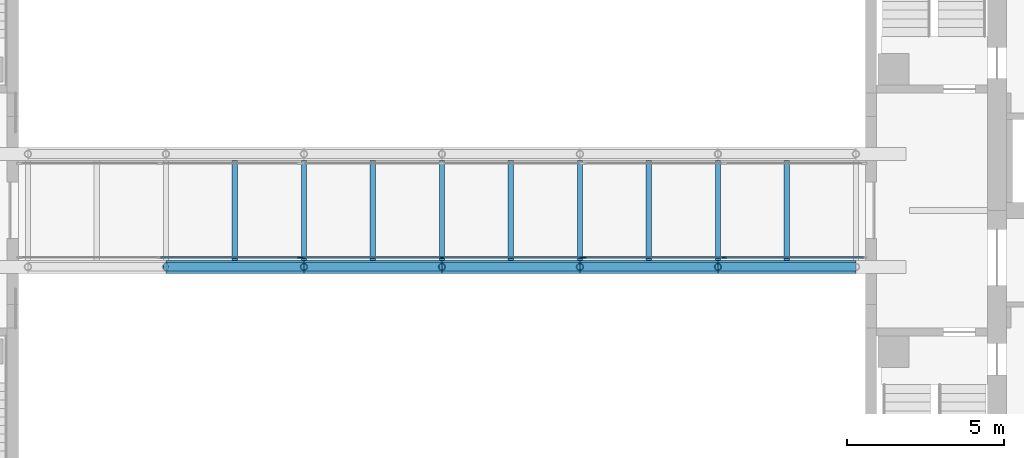
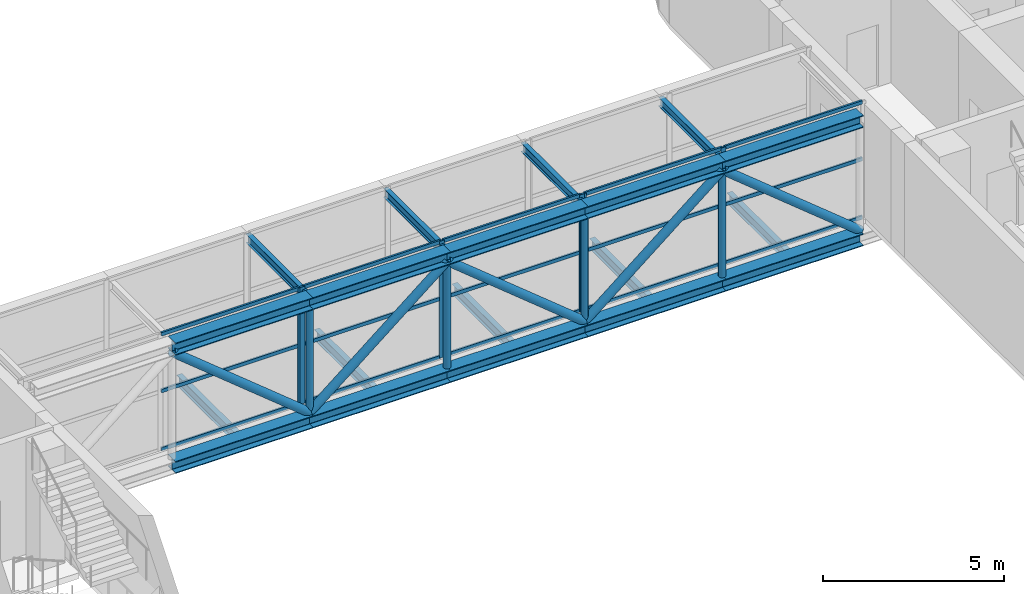
# One storey, part 5 of 24: 40 members, 9 beams, 3 elements without a shape of their own.
"""IFC4 building model written with IfcOpenShell, lengths in metres."""

from ifc_helpers import new_model, si_unit, direction, frame, origin, origin_2d, place, context, subcontext, project, spatial, rectangle, hollow_circle, i_section, extrude, material, material_profile, profile_set, type_object, element, aggregate, save


model = new_model("IFC4")

# Units and contexts
model_context = context("Model", 3, precision=1e-05, world=origin(), true_north=direction((0.0, 1.0)))
body_context = subcontext(model_context, "Body", "Model", "MODEL_VIEW")
ifc_project = project(units=[si_unit("LENGTHUNIT", "METRE"), si_unit("AREAUNIT", "SQUARE_METRE"), si_unit("VOLUMEUNIT", "CUBIC_METRE"), si_unit("PLANEANGLEUNIT", "RADIAN"), si_unit("MASSUNIT", "GRAM", prefix="KILO")], contexts=[model_context])

# Site, building, storey
site_placement = place(None, origin())
site = spatial("IfcSite", under=ifc_project, at=site_placement, CompositionType="ELEMENT")
building_placement = place(site_placement, origin())
building = spatial("IfcBuilding", under=site, at=building_placement, Name="Cinnabar Reach Civic Tower", CompositionType="ELEMENT")
storey_placement = place(building_placement, frame((0.0, 0.0, 71.0)))
storey = spatial("IfcBuildingStorey", under=building, at=storey_placement, Name="L16", CompositionType="ELEMENT", Elevation=71.0)

# Curtain wall, member
ifc_material_1 = material(Name="Aluminium and insulated spandrel panels", Category="aluminium")
curtain_wall_type = type_object("IfcCurtainWallType", Name="Bridge 1 enclosure curtain wall", PredefinedType="NOTDEFINED", material=ifc_material_1)
curtain_wall_1_placement = place(storey_placement, origin())
curtain_wall_1 = element("IfcCurtainWall", 1, at=curtain_wall_1_placement, inside=storey, type_object=curtain_wall_type, Name="Bridge 1 enclosure 1", PredefinedType="NOTDEFINED")
ifc_material_2 = material(Name="Aluminium", Category="aluminium")
ifc_material_profile_1 = material_profile(ifc_material_2, rectangle(XDim=0.06, YDim=0.16, at=origin_2d()), Name="Bridge 1 enclosure mullion")
ifc_profile_set_1 = profile_set([ifc_material_profile_1], Name="Aluminium")
member_type_1 = type_object("IfcMemberType", Name="Bridge 1 enclosure mullion", PredefinedType="MULLION", material=ifc_profile_set_1)
member_1_placement = place(storey_placement, frame((-18.03, 30.0, 0.0), z_axis=(0.0, 0.0, 1.0), x_axis=(0.0, 1.0, 0.0)))
member_1 = element("IfcMember", 2, at=member_1_placement, type_object=member_type_1, Name="CW-BR1-1 mullion 3", PredefinedType="MULLION", context=body_context, shape_type="SweptSolid", body=[
    extrude(rectangle(XDim=0.06, YDim=0.16, at=origin_2d()), origin(), (0.0, 0.0, 1.0), 3.95),
])

# Curtain wall, members
curtain_wall_2_placement = place(storey_placement, origin())
curtain_wall_2 = element("IfcCurtainWall", 3, at=curtain_wall_2_placement, inside=storey, type_object=curtain_wall_type, Name="Bridge 1 enclosure 2", PredefinedType="NOTDEFINED")
member_2_placement = place(storey_placement, frame((-17.97, 30.0, 0.0), z_axis=(0.0, 0.0, 1.0), x_axis=(0.0, 1.0, 0.0)))
member_2 = element("IfcMember", 4, at=member_2_placement, type_object=member_type_1, Name="CW-BR1-2 mullion 1", PredefinedType="MULLION", context=body_context, shape_type="SweptSolid", body=[
    extrude(rectangle(XDim=0.06, YDim=0.16, at=origin_2d()), origin(), (0.0, 0.0, 1.0), 3.95),
])
member_3_placement = place(storey_placement, frame((-13.5, 30.0, 0.0), z_axis=(0.0, 0.0, 1.0), x_axis=(0.0, 1.0, 0.0)))
member_3 = element("IfcMember", 5, at=member_3_placement, type_object=member_type_1, Name="CW-BR1-2 mullion 2", PredefinedType="MULLION", context=body_context, shape_type="SweptSolid", body=[
    extrude(rectangle(XDim=0.06, YDim=0.16, at=origin_2d()), origin(), (0.0, 0.0, 1.0), 3.95),
])
member_4_placement = place(storey_placement, frame((-9.03, 30.0, 0.0), z_axis=(0.0, 0.0, 1.0), x_axis=(0.0, 1.0, 0.0)))
member_4 = element("IfcMember", 6, at=member_4_placement, type_object=member_type_1, Name="CW-BR1-2 mullion 3", PredefinedType="MULLION", context=body_context, shape_type="SweptSolid", body=[
    extrude(rectangle(XDim=0.06, YDim=0.16, at=origin_2d()), origin(), (0.0, 0.0, 1.0), 3.95),
])

curtain_wall_3_placement = place(storey_placement, origin())
curtain_wall_3 = element("IfcCurtainWall", 7, at=curtain_wall_3_placement, inside=storey, type_object=curtain_wall_type, Name="Bridge 1 enclosure 3", PredefinedType="NOTDEFINED")
member_5_placement = place(storey_placement, frame((-8.97, 30.0, 0.0), z_axis=(0.0, 0.0, 1.0), x_axis=(0.0, 1.0, 0.0)))
member_5 = element("IfcMember", 8, at=member_5_placement, type_object=member_type_1, Name="CW-BR1-3 mullion 1", PredefinedType="MULLION", context=body_context, shape_type="SweptSolid", body=[
    extrude(rectangle(XDim=0.06, YDim=0.16, at=origin_2d()), origin(), (0.0, 0.0, 1.0), 3.95),
])
member_6_placement = place(storey_placement, frame((-4.5, 30.0, 0.0), z_axis=(0.0, 0.0, 1.0), x_axis=(0.0, 1.0, 0.0)))
member_6 = element("IfcMember", 9, at=member_6_placement, type_object=member_type_1, Name="CW-BR1-3 mullion 2", PredefinedType="MULLION", context=body_context, shape_type="SweptSolid", body=[
    extrude(rectangle(XDim=0.06, YDim=0.16, at=origin_2d()), origin(), (0.0, 0.0, 1.0), 3.95),
])

# Member
ifc_material_profile_2 = material_profile(ifc_material_2, rectangle(XDim=0.06, YDim=0.12, at=origin_2d()), Name="Bridge 1 enclosure transom")
ifc_profile_set_2 = profile_set([ifc_material_profile_2], Name="Aluminium")
member_type_2 = type_object("IfcMemberType", Name="Bridge 1 enclosure transom", PredefinedType="USERDEFINED", material=ifc_profile_set_2)
member_7_placement = place(storey_placement, frame((-22.47, 30.0, 0.03), z_axis=(1.0, 0.0, 0.0), x_axis=(0.0, 1.0, 0.0)))
member_7 = element("IfcMember", 10, at=member_7_placement, type_object=member_type_2, Name="CW-BR1-1 transom 2.1", ObjectType="TRANSOM", PredefinedType="USERDEFINED", context=body_context, shape_type="SweptSolid", body=[
    extrude(rectangle(XDim=0.06, YDim=0.12, at=origin_2d()), origin(), (0.0, 0.0, 1.0), 4.41),
])

member_8_placement = place(storey_placement, frame((-22.47, 30.0, 2.0), z_axis=(1.0, 0.0, 0.0), x_axis=(0.0, 1.0, 0.0)))
member_8 = element("IfcMember", 11, at=member_8_placement, type_object=member_type_2, Name="CW-BR1-1 transom 2.2", ObjectType="TRANSOM", PredefinedType="USERDEFINED", context=body_context, shape_type="SweptSolid", body=[
    extrude(rectangle(XDim=0.06, YDim=0.12, at=origin_2d()), origin(), (0.0, 0.0, 1.0), 4.41),
])

member_9_placement = place(storey_placement, frame((-22.47, 30.0, 3.92), z_axis=(1.0, 0.0, 0.0), x_axis=(0.0, 1.0, 0.0)))
member_9 = element("IfcMember", 12, at=member_9_placement, type_object=member_type_2, Name="CW-BR1-1 transom 2.3", ObjectType="TRANSOM", PredefinedType="USERDEFINED", context=body_context, shape_type="SweptSolid", body=[
    extrude(rectangle(XDim=0.06, YDim=0.12, at=origin_2d()), origin(), (0.0, 0.0, 1.0), 4.41),
])

aggregate(curtain_wall_1, [member_1, member_7, member_8, member_9])

member_10_placement = place(storey_placement, frame((-17.94, 30.0, 0.03), z_axis=(1.0, 0.0, 0.0), x_axis=(0.0, 1.0, 0.0)))
member_10 = element("IfcMember", 13, at=member_10_placement, type_object=member_type_2, Name="CW-BR1-2 transom 1.1", ObjectType="TRANSOM", PredefinedType="USERDEFINED", context=body_context, shape_type="SweptSolid", body=[
    extrude(rectangle(XDim=0.06, YDim=0.12, at=origin_2d()), origin(), (0.0, 0.0, 1.0), 4.41),
])

member_11_placement = place(storey_placement, frame((-17.94, 30.0, 2.0), z_axis=(1.0, 0.0, 0.0), x_axis=(0.0, 1.0, 0.0)))
member_11 = element("IfcMember", 14, at=member_11_placement, type_object=member_type_2, Name="CW-BR1-2 transom 1.2", ObjectType="TRANSOM", PredefinedType="USERDEFINED", context=body_context, shape_type="SweptSolid", body=[
    extrude(rectangle(XDim=0.06, YDim=0.12, at=origin_2d()), origin(), (0.0, 0.0, 1.0), 4.41),
])

member_12_placement = place(storey_placement, frame((-17.94, 30.0, 3.92), z_axis=(1.0, 0.0, 0.0), x_axis=(0.0, 1.0, 0.0)))
member_12 = element("IfcMember", 15, at=member_12_placement, type_object=member_type_2, Name="CW-BR1-2 transom 1.3", ObjectType="TRANSOM", PredefinedType="USERDEFINED", context=body_context, shape_type="SweptSolid", body=[
    extrude(rectangle(XDim=0.06, YDim=0.12, at=origin_2d()), origin(), (0.0, 0.0, 1.0), 4.41),
])

member_13_placement = place(storey_placement, frame((-13.47, 30.0, 0.03), z_axis=(1.0, 0.0, 0.0), x_axis=(0.0, 1.0, 0.0)))
member_13 = element("IfcMember", 16, at=member_13_placement, type_object=member_type_2, Name="CW-BR1-2 transom 2.1", ObjectType="TRANSOM", PredefinedType="USERDEFINED", context=body_context, shape_type="SweptSolid", body=[
    extrude(rectangle(XDim=0.06, YDim=0.12, at=origin_2d()), origin(), (0.0, 0.0, 1.0), 4.41),
])

member_14_placement = place(storey_placement, frame((-13.47, 30.0, 2.0), z_axis=(1.0, 0.0, 0.0), x_axis=(0.0, 1.0, 0.0)))
member_14 = element("IfcMember", 17, at=member_14_placement, type_object=member_type_2, Name="CW-BR1-2 transom 2.2", ObjectType="TRANSOM", PredefinedType="USERDEFINED", context=body_context, shape_type="SweptSolid", body=[
    extrude(rectangle(XDim=0.06, YDim=0.12, at=origin_2d()), origin(), (0.0, 0.0, 1.0), 4.41),
])

member_15_placement = place(storey_placement, frame((-13.47, 30.0, 3.92), z_axis=(1.0, 0.0, 0.0), x_axis=(0.0, 1.0, 0.0)))
member_15 = element("IfcMember", 18, at=member_15_placement, type_object=member_type_2, Name="CW-BR1-2 transom 2.3", ObjectType="TRANSOM", PredefinedType="USERDEFINED", context=body_context, shape_type="SweptSolid", body=[
    extrude(rectangle(XDim=0.06, YDim=0.12, at=origin_2d()), origin(), (0.0, 0.0, 1.0), 4.41),
])

aggregate(curtain_wall_2, [member_2, member_3, member_4, member_10, member_11, member_12, member_13, member_14, member_15])

member_16_placement = place(storey_placement, frame((-8.94, 30.0, 0.03), z_axis=(1.0, 0.0, 0.0), x_axis=(0.0, 1.0, 0.0)))
member_16 = element("IfcMember", 19, at=member_16_placement, type_object=member_type_2, Name="CW-BR1-3 transom 1.1", ObjectType="TRANSOM", PredefinedType="USERDEFINED", context=body_context, shape_type="SweptSolid", body=[
    extrude(rectangle(XDim=0.06, YDim=0.12, at=origin_2d()), origin(), (0.0, 0.0, 1.0), 4.41),
])

member_17_placement = place(storey_placement, frame((-8.94, 30.0, 2.0), z_axis=(1.0, 0.0, 0.0), x_axis=(0.0, 1.0, 0.0)))
member_17 = element("IfcMember", 20, at=member_17_placement, type_object=member_type_2, Name="CW-BR1-3 transom 1.2", ObjectType="TRANSOM", PredefinedType="USERDEFINED", context=body_context, shape_type="SweptSolid", body=[
    extrude(rectangle(XDim=0.06, YDim=0.12, at=origin_2d()), origin(), (0.0, 0.0, 1.0), 4.41),
])

member_18_placement = place(storey_placement, frame((-8.94, 30.0, 3.92), z_axis=(1.0, 0.0, 0.0), x_axis=(0.0, 1.0, 0.0)))
member_18 = element("IfcMember", 21, at=member_18_placement, type_object=member_type_2, Name="CW-BR1-3 transom 1.3", ObjectType="TRANSOM", PredefinedType="USERDEFINED", context=body_context, shape_type="SweptSolid", body=[
    extrude(rectangle(XDim=0.06, YDim=0.12, at=origin_2d()), origin(), (0.0, 0.0, 1.0), 4.41),
])

member_19_placement = place(storey_placement, frame((-4.47, 30.0, 0.03), z_axis=(1.0, 0.0, 0.0), x_axis=(0.0, 1.0, 0.0)))
member_19 = element("IfcMember", 22, at=member_19_placement, type_object=member_type_2, Name="CW-BR1-3 transom 2.1", ObjectType="TRANSOM", PredefinedType="USERDEFINED", context=body_context, shape_type="SweptSolid", body=[
    extrude(rectangle(XDim=0.06, YDim=0.12, at=origin_2d()), origin(), (0.0, 0.0, 1.0), 4.41),
])

member_20_placement = place(storey_placement, frame((-4.47, 30.0, 2.0), z_axis=(1.0, 0.0, 0.0), x_axis=(0.0, 1.0, 0.0)))
member_20 = element("IfcMember", 23, at=member_20_placement, type_object=member_type_2, Name="CW-BR1-3 transom 2.2", ObjectType="TRANSOM", PredefinedType="USERDEFINED", context=body_context, shape_type="SweptSolid", body=[
    extrude(rectangle(XDim=0.06, YDim=0.12, at=origin_2d()), origin(), (0.0, 0.0, 1.0), 4.41),
])

member_21_placement = place(storey_placement, frame((-4.47, 30.0, 3.92), z_axis=(1.0, 0.0, 0.0), x_axis=(0.0, 1.0, 0.0)))
member_21 = element("IfcMember", 24, at=member_21_placement, type_object=member_type_2, Name="CW-BR1-3 transom 2.3", ObjectType="TRANSOM", PredefinedType="USERDEFINED", context=body_context, shape_type="SweptSolid", body=[
    extrude(rectangle(XDim=0.06, YDim=0.12, at=origin_2d()), origin(), (0.0, 0.0, 1.0), 4.41),
])

aggregate(curtain_wall_3, [member_5, member_6, member_16, member_17, member_18, member_19, member_20, member_21])

# Members
ifc_material_3 = material(Name="Steel Q355B", Category="steel")
ifc_material_profile_3 = material_profile(ifc_material_3, hollow_circle(Radius=0.1095, WallThickness=0.008, at=origin_2d()), Name="CHS219x8")
ifc_profile_set_3 = profile_set([ifc_material_profile_3], Name="Steel Q355B")
member_type_3 = type_object("IfcMemberType", Name="CHS219x8 bridge post", PredefinedType="POST", material=ifc_profile_set_3)
for number, where, z_axis, x_axis, name in (
    (25, (-17.9, 29.7, -0.15), (0.0, 0.0, 1.0), (1.0, 0.0, 0.0), "BR1 truss post"),
    (26, (-13.5, 29.7, -0.15), (0.0, 0.0, 1.0), (1.0, 0.0, 0.0), "BR1 truss post"),
    (27, (-9.1, 29.7, -0.15), (0.0, 0.0, 1.0), (1.0, 0.0, 0.0), "BR1 truss post"),
    (28, (-4.7, 29.7, -0.15), (0.0, 0.0, 1.0), (1.0, 0.0, 0.0), "BR1 truss post"),
):
    element("IfcMember", number, at=place(storey_placement, frame(where, z_axis=z_axis, x_axis=x_axis)), inside=storey, type_object=member_type_3, Name=name, PredefinedType="POST", context=body_context, shape_type="SweptSolid", body=[
        extrude(hollow_circle(Radius=0.1095, WallThickness=0.008, at=origin_2d()), origin(), (0.0, 0.0, 1.0), 3.586),
    ])
ifc_material_profile_4 = material_profile(ifc_material_3, hollow_circle(Radius=0.1365, WallThickness=0.01, at=origin_2d()), Name="CHS273x10")
ifc_profile_set_4 = profile_set([ifc_material_profile_4], Name="Steel Q355B")
member_type_4 = type_object("IfcMemberType", Name="CHS273x10 bridge brace", PredefinedType="BRACE", material=ifc_profile_set_4)
for number, where, z_axis, x_axis, name in (
    (29, (-22.3, 29.7, 3.436), (0.775164685486, 0.0, -0.631759218671), (0.0, 1.0, 0.0), "BR1 truss diagonal"),
    (30, (-17.9, 29.7, -0.15), (0.775164685486, 0.0, 0.631759218671), (0.0, 1.0, 0.0), "BR1 truss diagonal"),
    (31, (-13.5, 29.7, 3.436), (0.775164685486, 0.0, -0.631759218671), (0.0, 1.0, 0.0), "BR1 truss diagonal"),
    (32, (-9.1, 29.7, -0.15), (0.775164685486, 0.0, 0.631759218671), (0.0, 1.0, 0.0), "BR1 truss diagonal"),
    (33, (-4.7, 29.7, 3.436), (0.775164685486, 0.0, -0.631759218671), (0.0, 1.0, 0.0), "BR1 truss diagonal"),
):
    element("IfcMember", number, at=place(storey_placement, frame(where, z_axis=z_axis, x_axis=x_axis)), inside=storey, type_object=member_type_4, Name=name, PredefinedType="BRACE", context=body_context, shape_type="SweptSolid", body=[
        extrude(hollow_circle(Radius=0.1365, WallThickness=0.01, at=origin_2d()), origin(), (0.0, 0.0, 1.0), 5.6762),
    ])

# Beams
ifc_material_profile_5 = material_profile(ifc_material_3, i_section(OverallWidth=0.15, OverallDepth=0.3, WebThickness=0.0065, FlangeThickness=0.009, FilletRadius=0.013, at=origin_2d()), Name="HN300x150x6.5x9")
ifc_profile_set_5 = profile_set([ifc_material_profile_5], Name="Steel Q355B")
beam_type_1 = type_object("IfcBeamType", Name="HN300x150x6.5x9 beam", PredefinedType="BEAM", material=ifc_profile_set_5)
for number, where, z_axis, x_axis, name in (
    (34, (-17.9, 29.9025, 3.7), (0.0, 1.0, 0.0), (-1.0, 0.0, 0.0), "BR1 top bracing beam"),
    (35, (-13.5, 29.9025, 3.7), (0.0, 1.0, 0.0), (-1.0, 0.0, 0.0), "BR1 top bracing beam"),
    (36, (-9.1, 29.9025, 3.7), (0.0, 1.0, 0.0), (-1.0, 0.0, 0.0), "BR1 top bracing beam"),
    (37, (-4.7, 29.9025, 3.7), (0.0, 1.0, 0.0), (-1.0, 0.0, 0.0), "BR1 top bracing beam"),
):
    element("IfcBeam", number, at=place(storey_placement, frame(where, z_axis=z_axis, x_axis=x_axis)), inside=storey, type_object=beam_type_1, Name=name, PredefinedType="BEAM", context=body_context, shape_type="SweptSolid", body=[
        extrude(i_section(OverallWidth=0.15, OverallDepth=0.3, WebThickness=0.0065, FlangeThickness=0.009, FilletRadius=0.013, at=origin_2d()), origin(), (0.0, 0.0, 1.0), 3.195),
    ])
ifc_material_profile_6 = material_profile(ifc_material_3, i_section(OverallWidth=0.174, OverallDepth=0.346, WebThickness=0.006, FlangeThickness=0.009, FilletRadius=0.013, at=origin_2d()), Name="HN346x174x6x9")
ifc_profile_set_6 = profile_set([ifc_material_profile_6], Name="Steel Q355B")
beam_type_2 = type_object("IfcBeamType", Name="HN346x174x6x9 beam", PredefinedType="BEAM", material=ifc_profile_set_6)
for number, where, z_axis, x_axis, name in (
    (38, (-20.1, 29.9025, -0.323), (0.0, 1.0, 0.0), (-1.0, 0.0, 0.0), "BR1 floor beam"),
    (39, (-15.7, 29.9025, -0.323), (0.0, 1.0, 0.0), (-1.0, 0.0, 0.0), "BR1 floor beam"),
    (40, (-11.3, 29.9025, -0.323), (0.0, 1.0, 0.0), (-1.0, 0.0, 0.0), "BR1 floor beam"),
    (41, (-6.9, 29.9025, -0.323), (0.0, 1.0, 0.0), (-1.0, 0.0, 0.0), "BR1 floor beam"),
    (42, (-2.5, 29.9025, -0.323), (0.0, 1.0, 0.0), (-1.0, 0.0, 0.0), "BR1 floor beam"),
):
    element("IfcBeam", number, at=place(storey_placement, frame(where, z_axis=z_axis, x_axis=x_axis)), inside=storey, type_object=beam_type_2, Name=name, PredefinedType="BEAM", context=body_context, shape_type="SweptSolid", body=[
        extrude(i_section(OverallWidth=0.174, OverallDepth=0.346, WebThickness=0.006, FlangeThickness=0.009, FilletRadius=0.013, at=origin_2d()), origin(), (0.0, 0.0, 1.0), 3.195),
    ])

# Members
ifc_material_profile_7 = material_profile(ifc_material_3, i_section(OverallWidth=0.405, OverallDepth=0.414, WebThickness=0.018, FlangeThickness=0.028, FilletRadius=0.016, at=origin_2d()), Name="HW414x405x18x28")
ifc_profile_set_7 = profile_set([ifc_material_profile_7], Name="Steel Q355B")
member_type_5 = type_object("IfcMemberType", Name="HW414x405x18x28 bridge chord", PredefinedType="CHORD", material=ifc_profile_set_7)
for number, where, z_axis, x_axis, name in (
    (43, (-22.3, 29.7, -0.357), (1.0, 0.0, 0.0), (0.0, 1.0, 0.0), "BR1 truss bottom chord"),
    (44, (-17.9, 29.7, -0.357), (1.0, 0.0, 0.0), (0.0, 1.0, 0.0), "BR1 truss bottom chord"),
    (45, (-13.5, 29.7, -0.357), (1.0, 0.0, 0.0), (0.0, 1.0, 0.0), "BR1 truss bottom chord"),
    (46, (-9.1, 29.7, -0.357), (1.0, 0.0, 0.0), (0.0, 1.0, 0.0), "BR1 truss bottom chord"),
    (47, (-4.7, 29.7, -0.357), (1.0, 0.0, 0.0), (0.0, 1.0, 0.0), "BR1 truss bottom chord"),
    (48, (-22.3, 29.7, 3.643), (1.0, 0.0, 0.0), (0.0, 1.0, 0.0), "BR1 truss top chord"),
    (49, (-17.9, 29.7, 3.643), (1.0, 0.0, 0.0), (0.0, 1.0, 0.0), "BR1 truss top chord"),
    (50, (-13.5, 29.7, 3.643), (1.0, 0.0, 0.0), (0.0, 1.0, 0.0), "BR1 truss top chord"),
    (51, (-9.1, 29.7, 3.643), (1.0, 0.0, 0.0), (0.0, 1.0, 0.0), "BR1 truss top chord"),
    (52, (-4.7, 29.7, 3.643), (1.0, 0.0, 0.0), (0.0, 1.0, 0.0), "BR1 truss top chord"),
):
    element("IfcMember", number, at=place(storey_placement, frame(where, z_axis=z_axis, x_axis=x_axis)), inside=storey, type_object=member_type_5, Name=name, PredefinedType="CHORD", context=body_context, shape_type="SweptSolid", body=[
        extrude(i_section(OverallWidth=0.405, OverallDepth=0.414, WebThickness=0.018, FlangeThickness=0.028, FilletRadius=0.016, at=origin_2d()), origin(), (0.0, 0.0, 1.0), 4.4),
    ])

save(model, "model.ifc")
